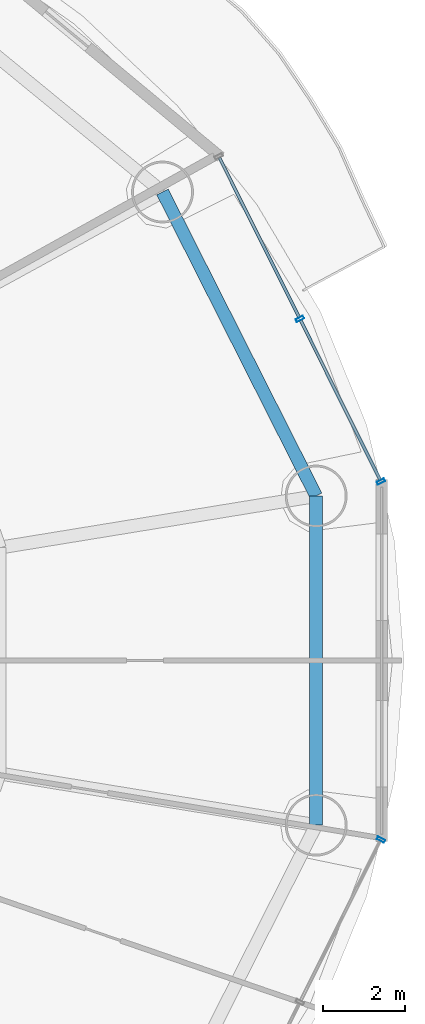
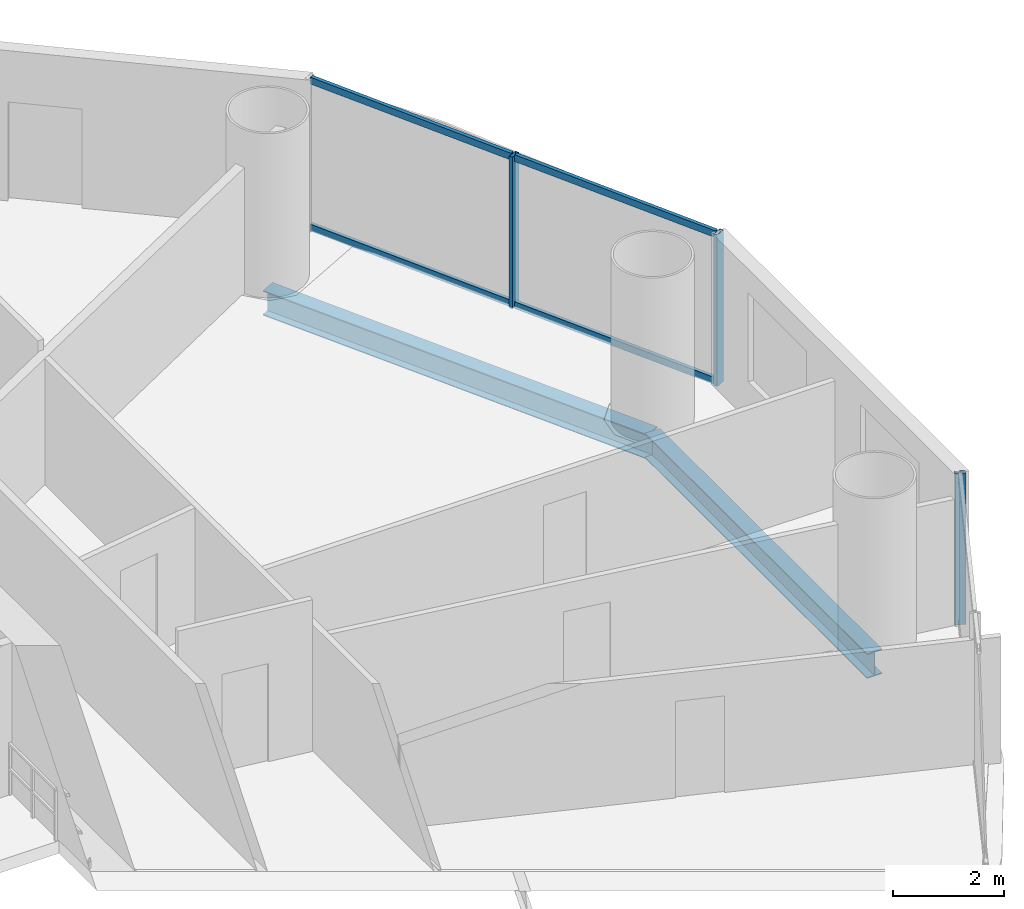
# One storey, part 15 of 29: 7 members, 2 beams, 2 elements without a shape of their own.
"""IFC4 building model written with IfcOpenShell, lengths in metres."""

from ifc_helpers import new_model, si_unit, direction, frame, origin, origin_2d, place, context, subcontext, project, spatial, hollow_rectangle, i_section, extrude, source, transform, mapped, material, material_profile, profile_set, type_object, element, aggregate, save


model = new_model("IFC4")

# Units and contexts
model_context = context("Model", 3, precision=1e-05, world=origin(), true_north=direction((-0.2419218956, 0.970295726276)))
body_context = subcontext(model_context, "Body", "Model", "MODEL_VIEW")
ifc_project = project(units=[si_unit("LENGTHUNIT", "METRE"), si_unit("AREAUNIT", "SQUARE_METRE"), si_unit("VOLUMEUNIT", "CUBIC_METRE"), si_unit("PLANEANGLEUNIT", "RADIAN"), si_unit("MASSUNIT", "GRAM", prefix="KILO")], contexts=[model_context])

# Site, building, storey
site_placement = place(None, origin())
site = spatial("IfcSite", under=ifc_project, at=site_placement, CompositionType="ELEMENT")
building_placement = place(site_placement, origin())
building = spatial("IfcBuilding", under=site, at=building_placement, Name="Cobrevalo Terracotta Tower", CompositionType="ELEMENT")
storey_placement = place(building_placement, frame((0.0, 0.0, 97.800048828125)))
storey = spatial("IfcBuildingStorey", under=building, at=storey_placement, Name="L25", CompositionType="ELEMENT", Elevation=97.800048828125)

# Beams
ifc_material_1 = material(Name="Steel S355", Category="steel")
ifc_material_profile_1 = material_profile(ifc_material_1, i_section(OverallWidth=0.31201171875, OverallDepth=0.54296875, WebThickness=0.0126953125, FlangeThickness=0.020263671875, at=origin_2d()), Name="W 530x150")
ifc_profile_set_1 = profile_set([ifc_material_profile_1], Name="Steel S355")
beam_type = type_object("IfcBeamType", Name="Structural Spandrel W 530x150 (Steel S355)", PredefinedType="SPANDREL", material=ifc_profile_set_1)
beam_1_placement = place(storey_placement, frame((62.470703125, 30.78955078125, -0.546630859375), z_axis=(-0.451051982172, 0.892497680321, 0.0), x_axis=(-0.892497680321, -0.451051982172, 0.0)))
element("IfcBeam", 1, at=beam_1_placement, inside=storey, type_object=beam_type, Name="L25 perimeter ring spandrel 01", PredefinedType="SPANDREL", context=body_context, shape_type="SweptSolid", body=[
    extrude(i_section(OverallWidth=0.31201171875, OverallDepth=0.54296875, WebThickness=0.0126953125, FlangeThickness=0.020263671875, at=origin_2d()), origin(), (0.0, 0.0, 1.0), 8.259765625),
])
beam_2_placement = place(storey_placement, frame((62.470703125, 22.810302734375, -0.546630859375), z_axis=(0.0, 1.0, 0.0), x_axis=(-1.0, 0.0, 0.0)))
element("IfcBeam", 2, at=beam_2_placement, inside=storey, type_object=beam_type, Name="L25 perimeter ring spandrel 16", PredefinedType="SPANDREL", context=body_context, shape_type="SweptSolid", body=[
    extrude(i_section(OverallWidth=0.31201171875, OverallDepth=0.54296875, WebThickness=0.0126953125, FlangeThickness=0.020263671875, at=origin_2d()), origin(), (0.0, 0.0, 1.0), 7.979248046875),
])

# Curtain wall, members
ifc_material_2 = material(Name="Anodized aluminium", Category="aluminium")
curtain_wall_type = type_object("IfcCurtainWallType", Name="Lower-tower unitised acoustic low-E curtain wall CW-U1", PredefinedType="NOTDEFINED", material=ifc_material_2)
curtain_wall_1_placement = place(storey_placement, origin())
curtain_wall_1 = element("IfcCurtainWall", 3, at=curtain_wall_1_placement, inside=storey, type_object=curtain_wall_type, Name="L25 curtain wall CW-L25-S01", PredefinedType="NOTDEFINED")
ifc_material_profile_2 = material_profile(ifc_material_2, hollow_rectangle(XDim=0.074951171875, YDim=0.199951171875, WallThickness=0.0048828125, at=origin_2d()), Name="CWM 75x200")
ifc_profile_set_2 = profile_set([ifc_material_profile_2], Name="Anodized aluminium")
member_type_1 = type_object("IfcMemberType", Name="Lower/mid tower unitised mullion 75x200", PredefinedType="MULLION", material=ifc_profile_set_2)
shared_shape_1 = source(origin(), body_context, "Body", "SweptSolid", [
    extrude(hollow_rectangle(XDim=0.074951171875, YDim=0.199951171875, WallThickness=0.0048828125, at=origin_2d()), origin(), (0.0, 0.0, 1.0), 3.324951171875),
])
member_1_placement = place(storey_placement, frame((64.04150390625, 31.141357421875, 0.0), z_axis=(0.0, 0.0, 1.0), x_axis=(-0.446260290227, 0.894903208937, 0.0)))
member_1 = element("IfcMember", 4, at=member_1_placement, type_object=member_type_1, Name="CW-L25-S01 vertical mullion 01", PredefinedType="MULLION", context=body_context, shape_type="MappedRepresentation", body=[
    mapped(shared_shape_1, transform((0.0, 0.0, 0.0), scale=1.0)),
])
member_2_placement = place(storey_placement, frame((62.075927734375, 35.08349609375, 0.0), z_axis=(0.0, 0.0, 1.0), x_axis=(-0.446260290227, 0.894903208937, 0.0)))
member_2 = element("IfcMember", 5, at=member_2_placement, type_object=member_type_1, Name="CW-L25-S01 vertical mullion 02", PredefinedType="MULLION", context=body_context, shape_type="MappedRepresentation", body=[
    mapped(shared_shape_1, transform((0.0, 0.0, 0.0), scale=1.0)),
])

# Curtain wall, member
curtain_wall_2_placement = place(storey_placement, origin())
curtain_wall_2 = element("IfcCurtainWall", 6, at=curtain_wall_2_placement, inside=storey, type_object=curtain_wall_type, Name="L25 curtain wall CW-L25-S15", PredefinedType="NOTDEFINED")
member_3_placement = place(storey_placement, frame((64.04150390625, 22.45849609375, 0.0), z_axis=(0.0, 0.0, 1.0), x_axis=(0.446260290227, 0.894903208937, 0.0)))
member_3 = element("IfcMember", 7, at=member_3_placement, type_object=member_type_1, Name="CW-L25-S15 vertical mullion 03", PredefinedType="MULLION", context=body_context, shape_type="MappedRepresentation", body=[
    mapped(shared_shape_1, transform((0.0, 0.0, 0.0), scale=1.0)),
])
aggregate(curtain_wall_2, [member_3])

# Member
ifc_material_profile_3 = material_profile(ifc_material_2, hollow_rectangle(XDim=0.074951171875, YDim=0.14990234375, WallThickness=0.00439453125, at=origin_2d()), Name="CWT 75x150")
ifc_profile_set_3 = profile_set([ifc_material_profile_3], Name="Anodized aluminium")
member_type_2 = type_object("IfcMemberType", Name="Tower unitised aluminium transom 75x150", PredefinedType="USERDEFINED", material=ifc_profile_set_3)
shared_shape_2 = source(origin(), body_context, "Body", "SweptSolid", [
    extrude(hollow_rectangle(XDim=0.074951171875, YDim=0.14990234375, WallThickness=0.00439453125, at=origin_2d()), origin(), (0.0, 0.0, 1.0), 4.324951171875),
])
member_4_placement = place(storey_placement, frame((64.023681640625, 31.17724609375, 0.050048828125), z_axis=(-0.446219838389, 0.894923379864, 0.0), x_axis=(-0.894923379864, -0.446219838389, 0.0)))
member_4 = element("IfcMember", 8, at=member_4_placement, type_object=member_type_2, Name="CW-L25-S01 transom B01-T1", ObjectType="TRANSOM", PredefinedType="USERDEFINED", context=body_context, shape_type="MappedRepresentation", body=[
    mapped(shared_shape_2, transform((0.0, 0.0, 0.0), scale=1.0)),
])

member_5_placement = place(storey_placement, frame((64.023681640625, 31.17724609375, 3.27490234375), z_axis=(-0.446219838389, 0.894923379864, 0.0), x_axis=(-0.894923379864, -0.446219838389, 0.0)))
member_5 = element("IfcMember", 9, at=member_5_placement, type_object=member_type_2, Name="CW-L25-S01 transom B01-T2", ObjectType="TRANSOM", PredefinedType="USERDEFINED", context=body_context, shape_type="MappedRepresentation", body=[
    mapped(shared_shape_2, transform((0.0, 0.0, 0.0), scale=1.0)),
])

member_6_placement = place(storey_placement, frame((62.057861328125, 35.119384765625, 0.050048828125), z_axis=(-0.44624238083, 0.894912139571, 0.0), x_axis=(-0.894912139571, -0.44624238083, 0.0)))
member_6 = element("IfcMember", 10, at=member_6_placement, type_object=member_type_2, Name="CW-L25-S01 transom B02-T1", ObjectType="TRANSOM", PredefinedType="USERDEFINED", context=body_context, shape_type="MappedRepresentation", body=[
    mapped(shared_shape_2, transform((0.0, 0.0, 0.0), scale=1.0)),
])

member_7_placement = place(storey_placement, frame((62.057861328125, 35.119384765625, 3.27490234375), z_axis=(-0.44624238083, 0.894912139571, 0.0), x_axis=(-0.894912139571, -0.44624238083, 0.0)))
member_7 = element("IfcMember", 11, at=member_7_placement, type_object=member_type_2, Name="CW-L25-S01 transom B02-T2", ObjectType="TRANSOM", PredefinedType="USERDEFINED", context=body_context, shape_type="MappedRepresentation", body=[
    mapped(shared_shape_2, transform((0.0, 0.0, 0.0), scale=1.0)),
])

aggregate(curtain_wall_1, [member_1, member_2, member_4, member_5, member_6, member_7])

save(model, "model.ifc")
